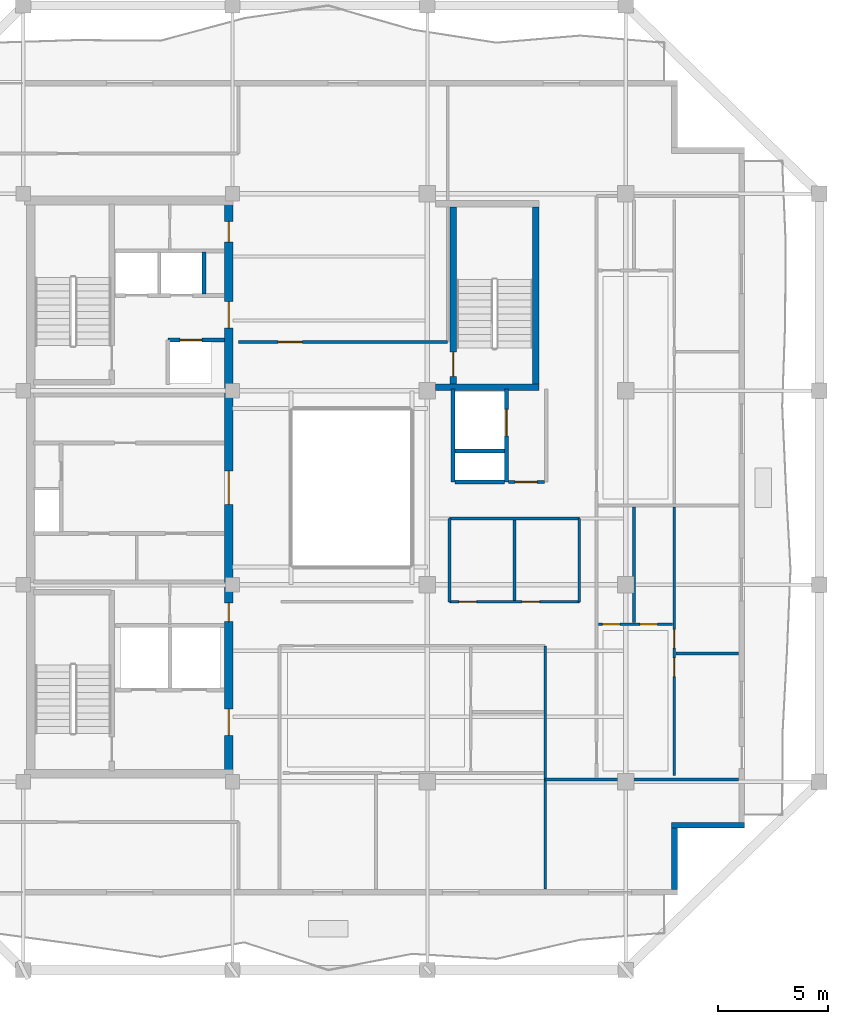
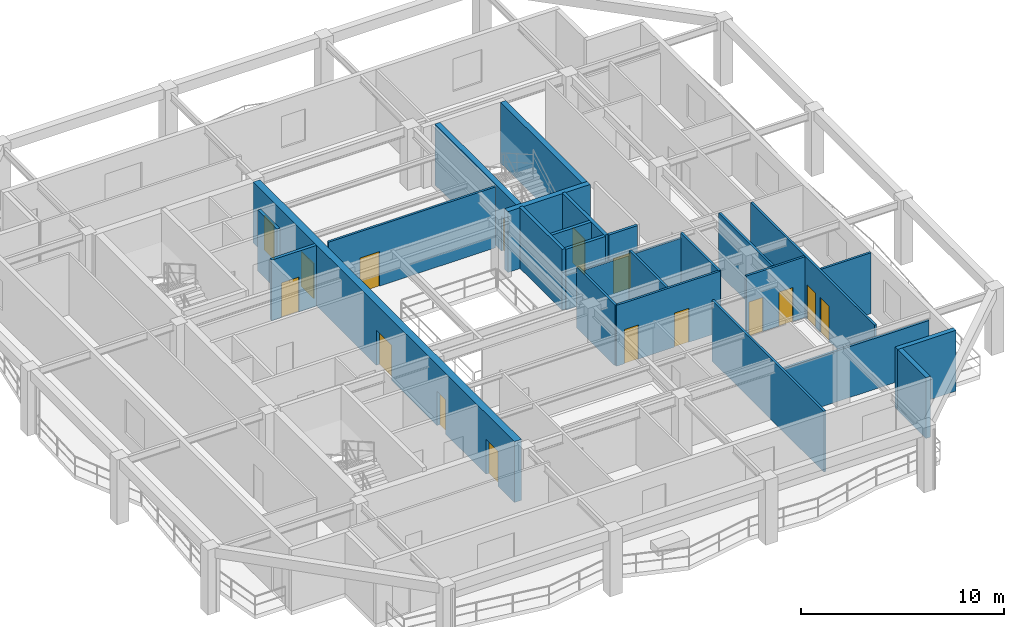
# One storey, part 4 of 10: 25 walls, 16 doors, 16 openings.
"""IFC4 building model written with IfcOpenShell, lengths in metres."""

from ifc_helpers import new_model, si_unit, direction, frame, frame_2d, origin, place, context, subcontext, project, spatial, rectangle, extrude, material, layer, layer_set, type_object, element, fill, save


model = new_model("IFC4")

# Units and contexts
model_context = context("Model", 3, precision=1e-05, world=origin(), true_north=direction((0.0, 1.0)))
body_context = subcontext(model_context, "Body", "Model", "MODEL_VIEW")
ifc_project = project(units=[si_unit("LENGTHUNIT", "METRE"), si_unit("AREAUNIT", "SQUARE_METRE"), si_unit("VOLUMEUNIT", "CUBIC_METRE"), si_unit("PLANEANGLEUNIT", "RADIAN"), si_unit("MASSUNIT", "GRAM", prefix="KILO")], contexts=[model_context])

# Site, building, storey
site_placement = place(None, origin())
site = spatial("IfcSite", under=ifc_project, at=site_placement, CompositionType="ELEMENT")
building_placement = place(site_placement, origin())
building = spatial("IfcBuilding", under=site, at=building_placement, Name="Kundavana Baori Tower", CompositionType="ELEMENT")
storey_placement = place(building_placement, frame((0.0, 0.0, 272.60009765625)))
storey = spatial("IfcBuildingStorey", under=building, at=storey_placement, Name="L67", CompositionType="ELEMENT", Elevation=272.60009765625)

# Wall, openings, doors
ifc_material_1 = material(Name="Concrete C50/60", Category="concrete")
ifc_layer_1 = layer(ifc_material_1, 0.39990234375, Name="WL-CORE-400")
ifc_layer_set_1 = layer_set([ifc_layer_1], Name="Concrete C50/60")
wall_type_1 = type_object("IfcWallType", Name="WL-CORE-400", PredefinedType="SHEAR", material=ifc_layer_set_1)
wall_1_placement = place(storey_placement, frame((24.780029296875, 15.739990234375, 0.0), z_axis=(0.0, 0.0, 1.0), x_axis=(0.0, 1.0, 0.0)))
wall_1 = element("IfcWall", 1, at=wall_1_placement, inside=storey, type_object=wall_type_1, Name="L67 Offset Core East Shear Wall", PredefinedType="SHEAR", context=body_context, shape_type="SweptSolid", body=[
    extrude(rectangle(XDim=25.760009765625, YDim=0.39990234375, at=frame_2d((12.8798828125, 0.0))), origin(), (0.0, 0.0, 1.0), 3.659912109375),
])
opening_1_placement = place(wall_1_placement, frame((1.610107421875, 0.0, 0.0)))
opening_1 = element("IfcOpeningElement", 2, at=opening_1_placement, cuts=wall_1, Name="Opening FD-120", PredefinedType="OPENING", context=body_context, shape_type="SweptSolid", body=[
    extrude(rectangle(XDim=1.199951171875, YDim=2.10009765625, at=frame_2d((0.60009765625, 1.050048828125))), frame((0.0, 0.2099609375, 0.0), z_axis=(0.0, -1.0, 0.0), x_axis=(1.0, 0.0, 0.0)), (0.0, 0.0, 1.0), 0.419921875),
])
opening_2_placement = place(wall_1_placement, frame((6.780029296875, 0.0, 0.0)))
opening_2 = element("IfcOpeningElement", 3, at=opening_2_placement, cuts=wall_1, Name="Opening FD-085", PredefinedType="OPENING", context=body_context, shape_type="SweptSolid", body=[
    extrude(rectangle(XDim=0.85009765625, YDim=2.06005859375, at=frame_2d((0.425048828125, 1.030029296875))), frame((0.0, 0.2099609375, 0.0), z_axis=(0.0, -1.0, 0.0), x_axis=(1.0, 0.0, 0.0)), (0.0, 0.0, 1.0), 0.419921875),
])
opening_3_placement = place(wall_1_placement, frame((12.110107421875, 0.0, 0.0)))
opening_3 = element("IfcOpeningElement", 4, at=opening_3_placement, cuts=wall_1, Name="Opening FD-150", PredefinedType="OPENING", context=body_context, shape_type="SweptSolid", body=[
    extrude(rectangle(XDim=1.5, YDim=2.1201171875, at=frame_2d((0.75, 1.06005859375))), frame((0.0, 0.2099609375, 0.0), z_axis=(0.0, -1.0, 0.0), x_axis=(1.0, 0.0, 0.0)), (0.0, 0.0, 1.0), 0.419921875),
])
opening_4_placement = place(wall_1_placement, frame((20.110107421875, 0.0, 0.0)))
opening_4 = element("IfcOpeningElement", 5, at=opening_4_placement, cuts=wall_1, Name="Opening FD-122", PredefinedType="OPENING", context=body_context, shape_type="SweptSolid", body=[
    extrude(rectangle(XDim=1.199951171875, YDim=2.1201171875, at=frame_2d((0.60009765625, 1.06005859375))), frame((0.0, 0.2099609375, 0.0), z_axis=(0.0, -1.0, 0.0), x_axis=(1.0, 0.0, 0.0)), (0.0, 0.0, 1.0), 0.419921875),
])
opening_5_placement = place(wall_1_placement, frame((24.010009765625, 0.0, 0.0)))
opening_5 = element("IfcOpeningElement", 6, at=opening_5_placement, cuts=wall_1, Name="Opening FD-095", PredefinedType="OPENING", context=body_context, shape_type="SweptSolid", body=[
    extrude(rectangle(XDim=0.949951171875, YDim=2.10009765625, at=frame_2d((0.47509765625, 1.050048828125))), frame((0.0, 0.2099609375, 0.0), z_axis=(0.0, -1.0, 0.0), x_axis=(1.0, 0.0, 0.0)), (0.0, 0.0, 1.0), 0.419921875),
])
ifc_material_2 = material(Name="Galvanised Steel Fire-Rated Door Leaf", Category="steel")
door_type_1 = type_object("IfcDoorType", Name="DR-FD120-1200", OperationType="NOTDEFINED", PredefinedType="DOOR", material=ifc_material_2)
door_1_placement = place(opening_1_placement, frame((1.199951171875, 0.0, 0.0), z_axis=(0.0, 0.0, 1.0), x_axis=(-1.0, 0.0, 0.0)))
door_1 = element("IfcDoor", 7, at=door_1_placement, inside=storey, type_object=door_type_1, Name="DR-L67-FFLOB-E", OperationType="SINGLE_SWING_RIGHT", OverallHeight=2.10009765625, OverallWidth=1.199951171875, PredefinedType="DOOR", context=body_context, shape_type="SweptSolid", body=[
    extrude(rectangle(XDim=1.199951171875, YDim=2.10009765625, at=frame_2d((0.60009765625, 1.050048828125))), frame((0.0, 0.02490234375, 0.0), z_axis=(0.0, -1.0, 0.0), x_axis=(1.0, 0.0, 0.0)), (0.0, 0.0, 1.0), 0.050048828125),
])
fill(opening_1, door_1)
ifc_material_3 = material(Name="Galvanised Steel Fire-Rated Door Leaf", Category="steel")
door_type_2 = type_object("IfcDoorType", Name="DR-FD60-1200", OperationType="NOTDEFINED", PredefinedType="DOOR", material=ifc_material_3)
door_2_placement = place(opening_4_placement, frame((1.199951171875, 0.0, 0.0), z_axis=(0.0, 0.0, 1.0), x_axis=(-1.0, 0.0, 0.0)))
door_2 = element("IfcDoor", 8, at=door_2_placement, inside=storey, type_object=door_type_2, Name="DR-L67-HRLOB-E", OperationType="SINGLE_SWING_RIGHT", OverallHeight=2.1201171875, OverallWidth=1.199951171875, PredefinedType="DOOR", context=body_context, shape_type="SweptSolid", body=[
    extrude(rectangle(XDim=1.199951171875, YDim=2.1201171875, at=frame_2d((0.60009765625, 1.06005859375))), frame((0.0, 0.02490234375, 0.0), z_axis=(0.0, -1.0, 0.0), x_axis=(1.0, 0.0, 0.0)), (0.0, 0.0, 1.0), 0.050048828125),
])
fill(opening_4, door_2)
ifc_material_4 = material(Name="Galvanised Steel Fire-Rated Door Leaf", Category="steel")
door_type_3 = type_object("IfcDoorType", Name="DR-FD60-1500", OperationType="NOTDEFINED", PredefinedType="DOOR", material=ifc_material_4)
door_3_placement = place(opening_3_placement, frame((1.5, 0.0, 0.0), z_axis=(0.0, 0.0, 1.0), x_axis=(-1.0, 0.0, 0.0)))
door_3 = element("IfcDoor", 9, at=door_3_placement, inside=storey, type_object=door_type_3, Name="DR-L67-LIFTHALL-E", OperationType="SINGLE_SWING_LEFT", OverallHeight=2.1201171875, OverallWidth=1.5, PredefinedType="DOOR", context=body_context, shape_type="SweptSolid", body=[
    extrude(rectangle(XDim=1.5, YDim=2.1201171875, at=frame_2d((0.75, 1.06005859375))), frame((0.0, 0.02490234375, 0.0), z_axis=(0.0, -1.0, 0.0), x_axis=(1.0, 0.0, 0.0)), (0.0, 0.0, 1.0), 0.050048828125),
])
fill(opening_3, door_3)
ifc_material_5 = material(Name="Galvanised Steel Fire-Rated Door Leaf", Category="steel")
door_type_4 = type_object("IfcDoorType", Name="DR-FD60-850", OperationType="NOTDEFINED", PredefinedType="DOOR", material=ifc_material_5)
door_4_placement = place(opening_2_placement, frame((0.85009765625, 0.0, 0.0), z_axis=(0.0, 0.0, 1.0), x_axis=(-1.0, 0.0, 0.0)))
door_4 = element("IfcDoor", 10, at=door_4_placement, inside=storey, type_object=door_type_4, Name="DR-L67-CSMK2", OperationType="SINGLE_SWING_RIGHT", OverallHeight=2.06005859375, OverallWidth=0.85009765625, PredefinedType="DOOR", context=body_context, shape_type="SweptSolid", body=[
    extrude(rectangle(XDim=0.85009765625, YDim=2.06005859375, at=frame_2d((0.425048828125, 1.030029296875))), frame((0.0, 0.02490234375, 0.0), z_axis=(0.0, -1.0, 0.0), x_axis=(1.0, 0.0, 0.0)), (0.0, 0.0, 1.0), 0.050048828125),
])
fill(opening_2, door_4)
ifc_material_6 = material(Name="Engineered Teak Fire-Rated Timber Door Leaf", Category="wood")
door_type_5 = type_object("IfcDoorType", Name="DR-FD60-950", OperationType="NOTDEFINED", PredefinedType="DOOR", material=ifc_material_6)
door_5_placement = place(opening_5_placement, frame((0.949951171875, 0.0, 0.0), z_axis=(0.0, 0.0, 1.0), x_axis=(-1.0, 0.0, 0.0)))
door_5 = element("IfcDoor", 11, at=door_5_placement, inside=storey, type_object=door_type_5, Name="DR-L67-CSRV2", OperationType="SINGLE_SWING_RIGHT", OverallHeight=2.10009765625, OverallWidth=0.949951171875, PredefinedType="DOOR", context=body_context, shape_type="SweptSolid", body=[
    extrude(rectangle(XDim=0.949951171875, YDim=2.10009765625, at=frame_2d((0.47509765625, 1.050048828125))), frame((0.0, 0.02490234375, 0.0), z_axis=(0.0, -1.0, 0.0), x_axis=(1.0, 0.0, 0.0)), (0.0, 0.0, 1.0), 0.050048828125),
])
fill(opening_5, door_5)

# Walls
ifc_material_7 = material(Name="Kiln-Fired Terracotta Brick-Slip Masonry on Concrete C40/50", Category="masonry")
ifc_layer_2 = layer(ifc_material_7, 0.260009765625, Name="WL-EXT-BRK-260")
ifc_layer_set_2 = layer_set([ifc_layer_2], Name="Kiln-Fired Terracotta Brick-Slip Masonry on Concrete C40/50")
wall_type_2 = type_object("IfcWallType", Name="WL-EXT-BRK-260", PredefinedType="SOLIDWALL", material=ifc_layer_set_2)
wall_2_placement = place(storey_placement, frame((45.02001953125, 10.360107421875, 0.0), z_axis=(0.0, 0.0, 1.0), x_axis=(0.0, 1.0, 0.0)))
element("IfcWall", 12, at=wall_2_placement, inside=storey, type_object=wall_type_2, Name="L67 Exterior Insulated Facade Wall 02", PredefinedType="SOLIDWALL", context=body_context, shape_type="SweptSolid", body=[
    extrude(rectangle(XDim=2.789794921875, YDim=0.260009765625, at=frame_2d((1.39501953125, 0.0))), origin(), (0.0, 0.0, 1.0), 3.659912109375),
])
wall_3_placement = place(storey_placement, frame((44.889892578125, 13.280029296875, 0.0), z_axis=(0.0, 0.0, 1.0), x_axis=(1.0, 0.0, 0.0)))
element("IfcWall", 13, at=wall_3_placement, inside=storey, type_object=wall_type_2, Name="L67 Exterior Insulated Facade Wall 03", PredefinedType="SOLIDWALL", context=body_context, shape_type="SweptSolid", body=[
    extrude(rectangle(XDim=3.31005859375, YDim=0.260009765625, at=frame_2d((1.655029296875, 0.0))), origin(), (0.0, 0.0, 1.0), 3.659912109375),
])

# Wall, opening, door
ifc_material_8 = material(Name="Fire-Rated Gypsum Drywall on Galvanised Steel Studs", Category="steel")
ifc_layer_3 = layer(ifc_material_8, 0.14990234375, Name="WL-PART-150")
ifc_layer_set_3 = layer_set([ifc_layer_3], Name="Fire-Rated Gypsum Drywall on Galvanised Steel Studs")
wall_type_3 = type_object("IfcWallType", Name="WL-PART-150", PredefinedType="PARTITIONING", material=ifc_layer_set_3)
wall_4_placement = place(storey_placement, frame((37.47998046875, 28.860107421875, 0.0), z_axis=(0.0, 0.0, 1.0), x_axis=(1.0, 0.0, 0.0)))
wall_4 = element("IfcWall", 14, at=wall_4_placement, inside=storey, type_object=wall_type_3, Name="WL-L67-SVLOB-S", PredefinedType="PARTITIONING", context=body_context, shape_type="SweptSolid", body=[
    extrude(rectangle(XDim=1.64013671875, YDim=0.14990234375, at=frame_2d((0.820068359375, 0.0))), origin(), (0.0, 0.0, 1.0), 3.659912109375),
])
opening_6_placement = place(wall_4_placement, frame((0.300048828125, 0.0, 0.0)))
opening_6 = element("IfcOpeningElement", 15, at=opening_6_placement, cuts=wall_4, Name="Opening FD-100", PredefinedType="OPENING", context=body_context, shape_type="SweptSolid", body=[
    extrude(rectangle(XDim=1.0, YDim=2.10009765625, at=frame_2d((0.5, 1.050048828125))), frame((0.0, 0.0849609375, 0.0), z_axis=(0.0, -1.0, 0.0), x_axis=(1.0, 0.0, 0.0)), (0.0, 0.0, 1.0), 0.169921875),
])
ifc_material_9 = material(Name="Engineered Teak Fire-Rated Timber Door Leaf", Category="wood")
door_type_6 = type_object("IfcDoorType", Name="DR-FD60-1000", OperationType="NOTDEFINED", PredefinedType="DOOR", material=ifc_material_9)
door_6_placement = place(opening_6_placement, origin())
door_6 = element("IfcDoor", 16, at=door_6_placement, inside=storey, type_object=door_type_6, Name="DR-L67-SVLOB-OUT", OperationType="SINGLE_SWING_LEFT", OverallHeight=2.10009765625, OverallWidth=1.0, PredefinedType="DOOR", context=body_context, shape_type="SweptSolid", body=[
    extrude(rectangle(XDim=1.0, YDim=2.10009765625, at=frame_2d((0.5, 1.050048828125))), frame((0.0, 0.02490234375, 0.0), z_axis=(0.0, -1.0, 0.0), x_axis=(1.0, 0.0, 0.0)), (0.0, 0.0, 1.0), 0.050048828125),
])
fill(opening_6, door_6)

ifc_material_10 = material(Name="Autoclaved Aerated Concrete Blockwork Masonry", Category="masonry")
ifc_layer_4 = layer(ifc_material_10, 0.179931640625, Name="WL-SHAFT-180")
ifc_layer_set_4 = layer_set([ifc_layer_4], Name="Autoclaved Aerated Concrete Blockwork Masonry")
wall_type_4 = type_object("IfcWallType", Name="WL-SHAFT-180", PredefinedType="SOLIDWALL", material=ifc_layer_set_4)
wall_5_placement = place(storey_placement, frame((22.02001953125, 35.31005859375, 0.0), z_axis=(0.0, 0.0, 1.0), x_axis=(1.0, 0.0, 0.0)))
wall_5 = element("IfcWall", 17, at=wall_5_placement, inside=storey, type_object=wall_type_4, Name="WL-L67-LP11-N", PredefinedType="SOLIDWALL", context=body_context, shape_type="SweptSolid", body=[
    extrude(rectangle(XDim=2.56005859375, YDim=0.179931640625, at=frame_2d((1.280029296875, 0.0))), origin(), (0.0, 0.0, 1.0), 3.659912109375),
])
opening_7_placement = place(wall_5_placement, frame((0.550048828125, 0.0, 0.0)))
opening_7 = element("IfcOpeningElement", 18, at=opening_7_placement, cuts=wall_5, Name="Opening LD-100", PredefinedType="OPENING", context=body_context, shape_type="SweptSolid", body=[
    extrude(rectangle(XDim=1.0, YDim=2.10009765625, at=frame_2d((0.5, 1.050048828125))), frame((0.0, 0.10009765625, 0.0), z_axis=(0.0, -1.0, 0.0), x_axis=(1.0, 0.0, 0.0)), (0.0, 0.0, 1.0), 0.199951171875),
])
ifc_material_11 = material(Name="Galvanised Steel Fire-Rated Door Leaf", Category="steel")
door_type_7 = type_object("IfcDoorType", Name="DR-SLIDE-LD1000", OperationType="NOTDEFINED", PredefinedType="DOOR", material=ifc_material_11)
door_7_placement = place(opening_7_placement, origin())
door_7 = element("IfcDoor", 19, at=door_7_placement, inside=storey, type_object=door_type_7, Name="DR-L67-LD-LP11", OperationType="DOUBLE_DOOR_SLIDING", OverallHeight=2.10009765625, OverallWidth=1.0, PredefinedType="DOOR", context=body_context, shape_type="SweptSolid", body=[
    extrude(rectangle(XDim=1.0, YDim=2.10009765625, at=frame_2d((0.5, 1.050048828125))), frame((0.0, 0.02490234375, 0.0), z_axis=(0.0, -1.0, 0.0), x_axis=(1.0, 0.0, 0.0)), (0.0, 0.0, 1.0), 0.050048828125),
])
fill(opening_7, door_7)

# Walls
wall_6_placement = place(storey_placement, frame((23.659912109375, 37.39990234375, 0.0), z_axis=(0.0, 0.0, 1.0), x_axis=(0.0, 1.0, 0.0)))
element("IfcWall", 20, at=wall_6_placement, inside=storey, type_object=wall_type_4, Name="WL-L67-HR-DIV2", PredefinedType="SOLIDWALL", context=body_context, shape_type="SweptSolid", body=[
    extrude(rectangle(XDim=1.900146484375, YDim=0.179931640625, at=frame_2d((0.9501953125, 0.0))), origin(), (0.0, 0.0, 1.0), 3.659912109375),
])
wall_7_placement = place(storey_placement, frame((34.9599609375, 28.860107421875, 0.0), z_axis=(0.0, 0.0, 1.0), x_axis=(0.0, 1.0, 0.0)))
element("IfcWall", 21, at=wall_7_placement, inside=storey, type_object=wall_type_4, Name="WL-L67-SVL-W", PredefinedType="SOLIDWALL", context=body_context, shape_type="SweptSolid", body=[
    extrude(rectangle(XDim=4.219970703125, YDim=0.179931640625, at=frame_2d((2.10986328125, 0.0))), origin(), (0.0, 0.0, 1.0), 3.659912109375),
])

# Wall, opening, door
wall_8_placement = place(storey_placement, frame((37.389892578125, 28.860107421875, 0.0), z_axis=(0.0, 0.0, 1.0), x_axis=(0.0, 1.0, 0.0)))
wall_8 = element("IfcWall", 22, at=wall_8_placement, inside=storey, type_object=wall_type_4, Name="WL-L67-SVL-E", PredefinedType="SOLIDWALL", context=body_context, shape_type="SweptSolid", body=[
    extrude(rectangle(XDim=4.219970703125, YDim=0.179931640625, at=frame_2d((2.10986328125, 0.0))), origin(), (0.0, 0.0, 1.0), 3.659912109375),
])
opening_8_placement = place(wall_8_placement, frame((2.10009765625, 0.0, 0.0)))
opening_8 = element("IfcOpeningElement", 23, at=opening_8_placement, cuts=wall_8, Name="Opening LD-120", PredefinedType="OPENING", context=body_context, shape_type="SweptSolid", body=[
    extrude(rectangle(XDim=1.199951171875, YDim=2.1201171875, at=frame_2d((0.60009765625, 1.06005859375))), frame((0.0, 0.10009765625, 0.0), z_axis=(0.0, -1.0, 0.0), x_axis=(1.0, 0.0, 0.0)), (0.0, 0.0, 1.0), 0.199951171875),
])
ifc_material_12 = material(Name="Galvanised Steel Fire-Rated Door Leaf", Category="steel")
door_type_8 = type_object("IfcDoorType", Name="DR-SLIDE-LD1200", OperationType="NOTDEFINED", PredefinedType="DOOR", material=ifc_material_12)
door_8_placement = place(opening_8_placement, frame((1.199951171875, 0.0, 0.0), z_axis=(0.0, 0.0, 1.0), x_axis=(-1.0, 0.0, 0.0)))
door_8 = element("IfcDoor", 24, at=door_8_placement, inside=storey, type_object=door_type_8, Name="DR-L67-LD-SVL1", OperationType="DOUBLE_DOOR_SLIDING", OverallHeight=2.1201171875, OverallWidth=1.199951171875, PredefinedType="DOOR", context=body_context, shape_type="SweptSolid", body=[
    extrude(rectangle(XDim=1.199951171875, YDim=2.1201171875, at=frame_2d((0.60009765625, 1.06005859375))), frame((0.0, 0.02490234375, 0.0), z_axis=(0.0, -1.0, 0.0), x_axis=(1.0, 0.0, 0.0)), (0.0, 0.0, 1.0), 0.050048828125),
])
fill(opening_8, door_8)

# Walls
for number, where, z_axis, x_axis, name in (
    (25, (35.050048828125, 28.860107421875, 0.0), (0.0, 0.0, 1.0), (1.0, 0.0, 0.0), "WL-L67-SVL-S"),
    (26, (35.050048828125, 30.27001953125, 0.0), (0.0, 0.0, 1.0), (1.0, 0.0, 0.0), "WL-L67-SVL-M"),
):
    element("IfcWall", number, at=place(storey_placement, frame(where, z_axis=z_axis, x_axis=x_axis)), inside=storey, type_object=wall_type_4, Name=name, PredefinedType="SOLIDWALL", context=body_context, shape_type="SweptSolid", body=[
        extrude(rectangle(XDim=2.25, YDim=0.179931640625, at=frame_2d((1.125, 0.0))), origin(), (0.0, 0.0, 1.0), 3.659912109375),
    ])
ifc_material_13 = material(Name="Concrete C50/60", Category="concrete")
ifc_layer_5 = layer(ifc_material_13, 0.300048828125, Name="WL-ST3-300")
ifc_layer_set_5 = layer_set([ifc_layer_5], Name="Concrete C50/60")
wall_type_5 = type_object("IfcWallType", Name="WL-ST3-300", PredefinedType="SHEAR", material=ifc_layer_set_5)
wall_9_placement = place(storey_placement, frame((34.175048828125, 33.159912109375, 0.0), z_axis=(0.0, 0.0, 1.0), x_axis=(1.0, 0.0, 0.0)))
element("IfcWall", 27, at=wall_9_placement, inside=storey, type_object=wall_type_5, Name="L67 Stair ST3 South Shear Wall", PredefinedType="SHEAR", context=body_context, shape_type="SweptSolid", body=[
    extrude(rectangle(XDim=4.695068359375, YDim=0.300048828125, at=frame_2d((2.34765625, 0.0))), origin(), (0.0, 0.0, 1.0), 3.659912109375),
])

# Wall, opening, door
wall_10_placement = place(storey_placement, frame((34.97998046875, 33.31005859375, 0.0), z_axis=(0.0, 0.0, 1.0), x_axis=(0.0, 1.0, 0.0)))
wall_10 = element("IfcWall", 28, at=wall_10_placement, inside=storey, type_object=wall_type_5, Name="L67 Stair ST3 West Shear Wall", PredefinedType="SHEAR", context=body_context, shape_type="SweptSolid", body=[
    extrude(rectangle(XDim=8.030029296875, YDim=0.300048828125, at=frame_2d((4.01513671875, 0.0))), origin(), (0.0, 0.0, 1.0), 3.659912109375),
])
opening_9_placement = place(wall_10_placement, frame((0.35009765625, 0.0, 0.0)))
opening_9 = element("IfcOpeningElement", 29, at=opening_9_placement, cuts=wall_10, Name="Opening FD-110", PredefinedType="OPENING", context=body_context, shape_type="SweptSolid", body=[
    extrude(rectangle(XDim=1.10009765625, YDim=2.10009765625, at=frame_2d((0.550048828125, 1.050048828125))), frame((0.0, 0.16015625, 0.0), z_axis=(0.0, -1.0, 0.0), x_axis=(1.0, 0.0, 0.0)), (0.0, 0.0, 1.0), 0.320068359375),
])
ifc_material_14 = material(Name="Galvanised Steel Fire-Rated Door Leaf", Category="steel")
door_type_9 = type_object("IfcDoorType", Name="DR-FD120-1100", OperationType="NOTDEFINED", PredefinedType="DOOR", material=ifc_material_14)
door_9_placement = place(opening_9_placement, origin())
door_9 = element("IfcDoor", 30, at=door_9_placement, inside=storey, type_object=door_type_9, Name="DR-L67-ST3-W", OperationType="SINGLE_SWING_LEFT", OverallHeight=2.10009765625, OverallWidth=1.10009765625, PredefinedType="DOOR", context=body_context, shape_type="SweptSolid", body=[
    extrude(rectangle(XDim=1.10009765625, YDim=2.10009765625, at=frame_2d((0.550048828125, 1.050048828125))), frame((0.0, 0.02490234375, 0.0), z_axis=(0.0, -1.0, 0.0), x_axis=(1.0, 0.0, 0.0)), (0.0, 0.0, 1.0), 0.050048828125),
])
fill(opening_9, door_9)

# Wall
wall_11_placement = place(storey_placement, frame((38.719970703125, 33.31005859375, 0.0), z_axis=(0.0, 0.0, 1.0), x_axis=(0.0, 1.0, 0.0)))
element("IfcWall", 31, at=wall_11_placement, inside=storey, type_object=wall_type_5, Name="L67 Stair ST3 East Shear Wall", PredefinedType="SHEAR", context=body_context, shape_type="SweptSolid", body=[
    extrude(rectangle(XDim=8.030029296875, YDim=0.300048828125, at=frame_2d((4.01513671875, 0.0))), origin(), (0.0, 0.0, 1.0), 3.659912109375),
])

# Wall, opening, door
ifc_material_15 = material(Name="Autoclaved Aerated Concrete Blockwork Masonry", Category="masonry")
ifc_layer_6 = layer(ifc_material_15, 0.125, Name="WL-WET-120")
ifc_layer_set_6 = layer_set([ifc_layer_6], Name="Autoclaved Aerated Concrete Blockwork Masonry")
wall_type_6 = type_object("IfcWallType", Name="WL-WET-120", PredefinedType="PLUMBINGWALL", material=ifc_layer_set_6)
wall_12_placement = place(storey_placement, frame((25.219970703125, 35.219970703125, 0.0), z_axis=(0.0, 0.0, 1.0), x_axis=(1.0, 0.0, 0.0)))
wall_12 = element("IfcWall", 32, at=wall_12_placement, inside=storey, type_object=wall_type_6, Name="WL-L67-RN", PredefinedType="PLUMBINGWALL", context=body_context, shape_type="SweptSolid", body=[
    extrude(rectangle(XDim=9.5, YDim=0.125, at=frame_2d((4.75, 0.0))), origin(), (0.0, 0.0, 1.0), 3.659912109375),
])
opening_10_placement = place(wall_12_placement, frame((1.800048828125, 0.0, 0.0)))
opening_10 = element("IfcOpeningElement", 33, at=opening_10_placement, cuts=wall_12, Name="Opening ID-110", PredefinedType="OPENING", context=body_context, shape_type="SweptSolid", body=[
    extrude(rectangle(XDim=1.10009765625, YDim=2.080078125, at=frame_2d((0.550048828125, 1.0400390625))), frame((0.0, 0.072509765625, 0.0), z_axis=(0.0, -1.0, 0.0), x_axis=(1.0, 0.0, 0.0)), (0.0, 0.0, 1.0), 0.14501953125),
])
ifc_material_16 = material(Name="Engineered Teak Solid-Core Timber Veneer", Category="wood")
door_type_10 = type_object("IfcDoorType", Name="DR-INT-1100", OperationType="NOTDEFINED", PredefinedType="DOOR", material=ifc_material_16)
door_10_placement = place(opening_10_placement, origin())
door_10 = element("IfcDoor", 34, at=door_10_placement, inside=storey, type_object=door_type_10, Name="DR-L67-RLNGN", OperationType="SINGLE_SWING_RIGHT", OverallHeight=2.080078125, OverallWidth=1.10009765625, PredefinedType="DOOR", context=body_context, shape_type="SweptSolid", body=[
    extrude(rectangle(XDim=1.10009765625, YDim=2.080078125, at=frame_2d((0.550048828125, 1.0400390625))), frame((0.0, 0.02490234375, 0.0), z_axis=(0.0, -1.0, 0.0), x_axis=(1.0, 0.0, 0.0)), (0.0, 0.0, 1.0), 0.050048828125),
])
fill(opening_10, door_10)

# Walls
wall_13_placement = place(storey_placement, frame((39.14990234375, 10.3798828125, 0.0), z_axis=(0.0, 0.0, 1.0), x_axis=(0.0, 1.0, 0.0)))
element("IfcWall", 35, at=wall_13_placement, inside=storey, type_object=wall_type_6, Name="WL-L67-RSEND", PredefinedType="PLUMBINGWALL", context=body_context, shape_type="SweptSolid", body=[
    extrude(rectangle(XDim=11.0400390625, YDim=0.125, at=frame_2d((5.52001953125, 0.0))), origin(), (0.0, 0.0, 1.0), 3.659912109375),
])
wall_14_placement = place(storey_placement, frame((39.14990234375, 15.35009765625, 0.0), z_axis=(0.0, 0.0, 1.0), x_axis=(1.0, 0.0, 0.0)))
element("IfcWall", 36, at=wall_14_placement, inside=storey, type_object=wall_type_6, Name="WL-L67-RES", PredefinedType="PLUMBINGWALL", context=body_context, shape_type="SweptSolid", body=[
    extrude(rectangle(XDim=8.77001953125, YDim=0.125, at=frame_2d((4.385009765625, 0.0))), origin(), (0.0, 0.0, 1.0), 3.059814453125),
])

# Wall, openings, doors
wall_15_placement = place(storey_placement, frame((45.00390625, 15.530029296875, 0.0), z_axis=(0.0, 0.0, 1.0), x_axis=(0.0, 1.0, 0.0)))
wall_15 = element("IfcWall", 37, at=wall_15_placement, inside=storey, type_object=wall_type_6, Name="WL-L67-E1-VT", PredefinedType="PLUMBINGWALL", context=body_context, shape_type="SweptSolid", body=[
    extrude(rectangle(XDim=12.18994140625, YDim=0.125, at=frame_2d((6.094970703125, 0.0))), origin(), (0.0, 0.0, 1.0), 3.659912109375),
])
opening_11_placement = place(wall_15_placement, frame((4.489990234375, 0.0, 0.0)))
opening_11 = element("IfcOpeningElement", 38, at=opening_11_placement, cuts=wall_15, Name="Opening ID-085", PredefinedType="OPENING", context=body_context, shape_type="SweptSolid", body=[
    extrude(rectangle(XDim=0.85009765625, YDim=2.080078125, at=frame_2d((0.425048828125, 1.0400390625))), frame((0.0, 0.072509765625, 0.0), z_axis=(0.0, -1.0, 0.0), x_axis=(1.0, 0.0, 0.0)), (0.0, 0.0, 1.0), 0.14501953125),
])
opening_12_placement = place(wall_15_placement, frame((5.7900390625, 0.0, 0.0)))
opening_12 = element("IfcOpeningElement", 39, at=opening_12_placement, cuts=wall_15, Name="Opening ID-085", PredefinedType="OPENING", context=body_context, shape_type="SweptSolid", body=[
    extrude(rectangle(XDim=0.85009765625, YDim=2.080078125, at=frame_2d((0.425048828125, 1.0400390625))), frame((0.0, 0.072509765625, 0.0), z_axis=(0.0, -1.0, 0.0), x_axis=(1.0, 0.0, 0.0)), (0.0, 0.0, 1.0), 0.14501953125),
])
ifc_material_17 = material(Name="Engineered Teak Solid-Core Timber Veneer", Category="wood")
door_type_11 = type_object("IfcDoorType", Name="DR-INT-850", OperationType="NOTDEFINED", PredefinedType="DOOR", material=ifc_material_17)
door_11_placement = place(opening_11_placement, origin())
door_11 = element("IfcDoor", 40, at=door_11_placement, inside=storey, type_object=door_type_11, Name="DR-L67-E1-B1", OperationType="SINGLE_SWING_LEFT", OverallHeight=2.080078125, OverallWidth=0.85009765625, PredefinedType="DOOR", context=body_context, shape_type="SweptSolid", body=[
    extrude(rectangle(XDim=0.85009765625, YDim=2.080078125, at=frame_2d((0.425048828125, 1.0400390625))), frame((0.0, 0.02490234375, 0.0), z_axis=(0.0, -1.0, 0.0), x_axis=(1.0, 0.0, 0.0)), (0.0, 0.0, 1.0), 0.050048828125),
])
fill(opening_11, door_11)
door_12_placement = place(opening_12_placement, origin())
door_12 = element("IfcDoor", 41, at=door_12_placement, inside=storey, type_object=door_type_11, Name="DR-L67-E1-B2", OperationType="SINGLE_SWING_RIGHT", OverallHeight=2.080078125, OverallWidth=0.85009765625, PredefinedType="DOOR", context=body_context, shape_type="SweptSolid", body=[
    extrude(rectangle(XDim=0.85009765625, YDim=2.080078125, at=frame_2d((0.425048828125, 1.0400390625))), frame((0.0, 0.02490234375, 0.0), z_axis=(0.0, -1.0, 0.0), x_axis=(1.0, 0.0, 0.0)), (0.0, 0.0, 1.0), 0.050048828125),
])
fill(opening_12, door_12)

wall_16_placement = place(storey_placement, frame((41.580078125, 22.39990234375, 0.0), z_axis=(0.0, 0.0, 1.0), x_axis=(1.0, 0.0, 0.0)))
wall_16 = element("IfcWall", 42, at=wall_16_placement, inside=storey, type_object=wall_type_6, Name="WL-L67-E1-KH", PredefinedType="PLUMBINGWALL", context=body_context, shape_type="SweptSolid", body=[
    extrude(rectangle(XDim=3.343994140625, YDim=0.125, at=frame_2d((1.671875, 0.0))), origin(), (0.0, 0.0, 1.0), 3.659912109375),
])
opening_13_placement = place(wall_16_placement, frame((0.159912109375, 0.0, 0.0)))
opening_13 = element("IfcOpeningElement", 43, at=opening_13_placement, cuts=wall_16, Name="Opening WD-080", PredefinedType="OPENING", context=body_context, shape_type="SweptSolid", body=[
    extrude(rectangle(XDim=0.800048828125, YDim=2.050048828125, at=frame_2d((0.39990234375, 1.02490234375))), frame((0.0, 0.072509765625, 0.0), z_axis=(0.0, -1.0, 0.0), x_axis=(1.0, 0.0, 0.0)), (0.0, 0.0, 1.0), 0.14501953125),
])
opening_14_placement = place(wall_16_placement, frame((1.864990234375, 0.0, 0.0)))
opening_14 = element("IfcOpeningElement", 44, at=opening_14_placement, cuts=wall_16, Name="Opening WD-080", PredefinedType="OPENING", context=body_context, shape_type="SweptSolid", body=[
    extrude(rectangle(XDim=0.800048828125, YDim=2.050048828125, at=frame_2d((0.39990234375, 1.02490234375))), frame((0.0, 0.072509765625, 0.0), z_axis=(0.0, -1.0, 0.0), x_axis=(1.0, 0.0, 0.0)), (0.0, 0.0, 1.0), 0.14501953125),
])
ifc_material_18 = material(Name="Engineered Teak Solid-Core Timber Veneer", Category="wood")
door_type_12 = type_object("IfcDoorType", Name="DR-WET-800", OperationType="NOTDEFINED", PredefinedType="DOOR", material=ifc_material_18)
door_13_placement = place(opening_13_placement, origin())
door_13 = element("IfcDoor", 45, at=door_13_placement, inside=storey, type_object=door_type_12, Name="DR-L67-E1-BT", OperationType="SINGLE_SWING_LEFT", OverallHeight=2.050048828125, OverallWidth=0.800048828125, PredefinedType="DOOR", context=body_context, shape_type="SweptSolid", body=[
    extrude(rectangle(XDim=0.800048828125, YDim=2.050048828125, at=frame_2d((0.39990234375, 1.02490234375))), frame((0.0, 0.02490234375, 0.0), z_axis=(0.0, -1.0, 0.0), x_axis=(1.0, 0.0, 0.0)), (0.0, 0.0, 1.0), 0.050048828125),
])
fill(opening_13, door_13)
door_14_placement = place(opening_14_placement, origin())
door_14 = element("IfcDoor", 46, at=door_14_placement, inside=storey, type_object=door_type_12, Name="DR-L67-E1-KT", OperationType="SINGLE_SWING_RIGHT", OverallHeight=2.050048828125, OverallWidth=0.800048828125, PredefinedType="DOOR", context=body_context, shape_type="SweptSolid", body=[
    extrude(rectangle(XDim=0.800048828125, YDim=2.050048828125, at=frame_2d((0.39990234375, 1.02490234375))), frame((0.0, 0.02490234375, 0.0), z_axis=(0.0, -1.0, 0.0), x_axis=(1.0, 0.0, 0.0)), (0.0, 0.0, 1.0), 0.050048828125),
])
fill(opening_14, door_14)

# Walls
wall_17_placement = place(storey_placement, frame((43.18505859375, 22.47998046875, 0.0), z_axis=(0.0, 0.0, 1.0), x_axis=(0.0, 1.0, 0.0)))
element("IfcWall", 47, at=wall_17_placement, inside=storey, type_object=wall_type_6, Name="WL-L67-E1-BV", PredefinedType="PLUMBINGWALL", context=body_context, shape_type="SweptSolid", body=[
    extrude(rectangle(XDim=5.239990234375, YDim=0.125, at=frame_2d((2.6201171875, 0.0))), origin(), (0.0, 0.0, 1.0), 3.659912109375),
])
wall_18_placement = place(storey_placement, frame((45.083984375, 21.070068359375, 0.0), z_axis=(0.0, 0.0, 1.0), x_axis=(1.0, 0.0, 0.0)))
element("IfcWall", 48, at=wall_18_placement, inside=storey, type_object=wall_type_6, Name="WL-L67-E1-BDH", PredefinedType="PLUMBINGWALL", context=body_context, shape_type="SweptSolid", body=[
    extrude(rectangle(XDim=2.8359375, YDim=0.125, at=frame_2d((1.41796875, 0.0))), origin(), (0.0, 0.0, 1.0), 3.659912109375),
])

# Wall, openings, doors
wall_19_placement = place(storey_placement, frame((34.800048828125, 23.419921875, 0.0), z_axis=(0.0, 0.0, 1.0), x_axis=(1.0, 0.0, 0.0)))
wall_19 = element("IfcWall", 49, at=wall_19_placement, inside=storey, type_object=wall_type_6, Name="WL-L67-ALS", PredefinedType="PLUMBINGWALL", context=body_context, shape_type="SweptSolid", body=[
    extrude(rectangle(XDim=5.89990234375, YDim=0.125, at=frame_2d((2.949951171875, 0.0))), origin(), (0.0, 0.0, 1.0), 3.659912109375),
])
opening_15_placement = place(wall_19_placement, frame((0.429931640625, 0.0, 0.0)))
opening_15 = element("IfcOpeningElement", 50, at=opening_15_placement, cuts=wall_19, Name="Opening WD-080", PredefinedType="OPENING", context=body_context, shape_type="SweptSolid", body=[
    extrude(rectangle(XDim=0.800048828125, YDim=2.050048828125, at=frame_2d((0.39990234375, 1.02490234375))), frame((0.0, 0.072509765625, 0.0), z_axis=(0.0, -1.0, 0.0), x_axis=(1.0, 0.0, 0.0)), (0.0, 0.0, 1.0), 0.14501953125),
])
opening_16_placement = place(wall_19_placement, frame((3.300048828125, 0.0, 0.0)))
opening_16 = element("IfcOpeningElement", 51, at=opening_16_placement, cuts=wall_19, Name="Opening WD-080", PredefinedType="OPENING", context=body_context, shape_type="SweptSolid", body=[
    extrude(rectangle(XDim=0.800048828125, YDim=2.050048828125, at=frame_2d((0.39990234375, 1.02490234375))), frame((0.0, 0.072509765625, 0.0), z_axis=(0.0, -1.0, 0.0), x_axis=(1.0, 0.0, 0.0)), (0.0, 0.0, 1.0), 0.14501953125),
])
door_15_placement = place(opening_15_placement, origin())
door_15 = element("IfcDoor", 52, at=door_15_placement, inside=storey, type_object=door_type_12, Name="DR-L67-RALC1", OperationType="SINGLE_SWING_LEFT", OverallHeight=2.050048828125, OverallWidth=0.800048828125, PredefinedType="DOOR", context=body_context, shape_type="SweptSolid", body=[
    extrude(rectangle(XDim=0.800048828125, YDim=2.050048828125, at=frame_2d((0.39990234375, 1.02490234375))), frame((0.0, 0.02490234375, 0.0), z_axis=(0.0, -1.0, 0.0), x_axis=(1.0, 0.0, 0.0)), (0.0, 0.0, 1.0), 0.050048828125),
])
fill(opening_15, door_15)
door_16_placement = place(opening_16_placement, origin())
door_16 = element("IfcDoor", 53, at=door_16_placement, inside=storey, type_object=door_type_12, Name="DR-L67-RALC2", OperationType="SINGLE_SWING_LEFT", OverallHeight=2.050048828125, OverallWidth=0.800048828125, PredefinedType="DOOR", context=body_context, shape_type="SweptSolid", body=[
    extrude(rectangle(XDim=0.800048828125, YDim=2.050048828125, at=frame_2d((0.39990234375, 1.02490234375))), frame((0.0, 0.02490234375, 0.0), z_axis=(0.0, -1.0, 0.0), x_axis=(1.0, 0.0, 0.0)), (0.0, 0.0, 1.0), 0.050048828125),
])
fill(opening_16, door_16)

# Walls
wall_20_placement = place(storey_placement, frame((34.800048828125, 27.199951171875, 0.0), z_axis=(0.0, 0.0, 1.0), x_axis=(1.0, 0.0, 0.0)))
element("IfcWall", 54, at=wall_20_placement, inside=storey, type_object=wall_type_6, Name="WL-L67-ALN", PredefinedType="PLUMBINGWALL", context=body_context, shape_type="SweptSolid", body=[
    extrude(rectangle(XDim=5.89990234375, YDim=0.125, at=frame_2d((2.949951171875, 0.0))), origin(), (0.0, 0.0, 1.0), 3.35986328125),
])
for number, where, z_axis, x_axis, name in (
    (55, (34.800048828125, 23.419921875, 0.0), (0.0, 0.0, 1.0), (0.0, 1.0, 0.0), "WL-L67-ALW"),
    (56, (40.699951171875, 23.419921875, 0.0), (0.0, 0.0, 1.0), (0.0, 1.0, 0.0), "WL-L67-ALE"),
):
    element("IfcWall", number, at=place(storey_placement, frame(where, z_axis=z_axis, x_axis=x_axis)), inside=storey, type_object=wall_type_6, Name=name, PredefinedType="PLUMBINGWALL", context=body_context, shape_type="SweptSolid", body=[
        extrude(rectangle(XDim=3.780029296875, YDim=0.125, at=frame_2d((1.89013671875, 0.0))), origin(), (0.0, 0.0, 1.0), 3.659912109375),
    ])
wall_21_placement = place(storey_placement, frame((37.75, 23.47998046875, 0.0), z_axis=(0.0, 0.0, 1.0), x_axis=(0.0, 1.0, 0.0)))
element("IfcWall", 57, at=wall_21_placement, inside=storey, type_object=wall_type_6, Name="WL-L67-ALD1", PredefinedType="PLUMBINGWALL", context=body_context, shape_type="SweptSolid", body=[
    extrude(rectangle(XDim=3.659912109375, YDim=0.125, at=frame_2d((1.830078125, 0.0))), origin(), (0.0, 0.0, 1.0), 3.659912109375),
])

save(model, "model.ifc")
